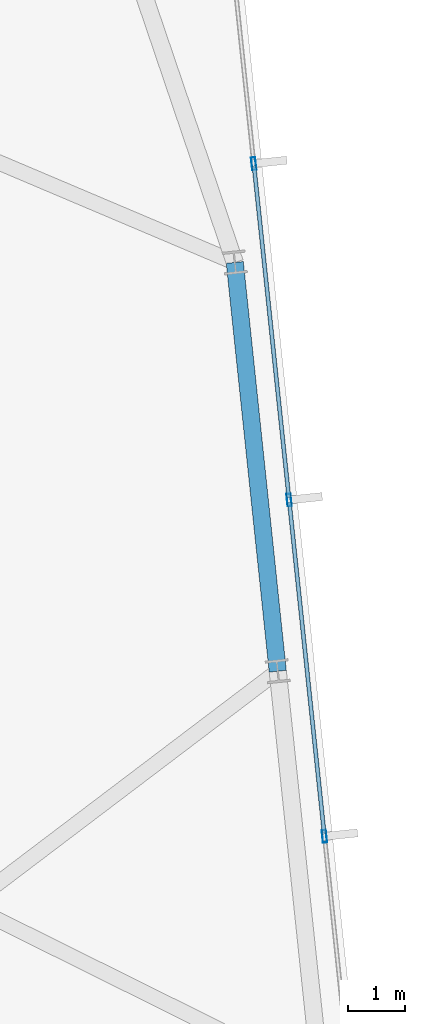
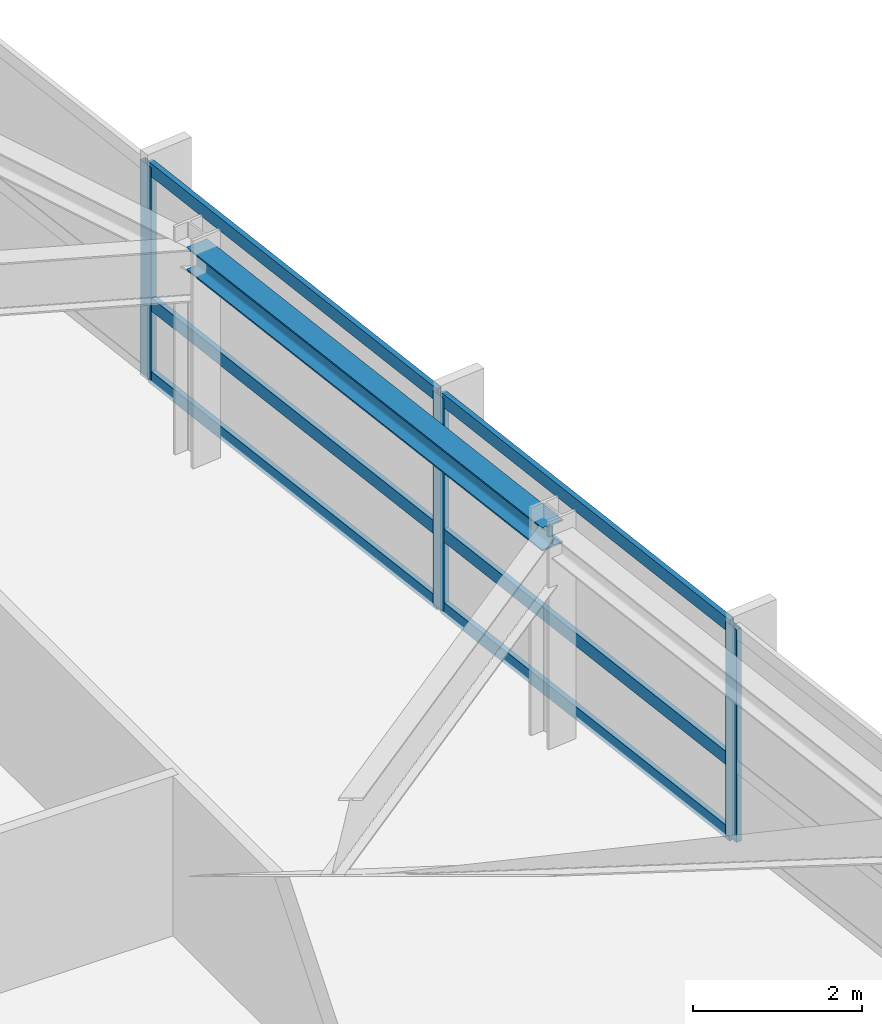
# One storey, part 14 of 26: 9 members, 1 beam, 1 element without a shape of its own.
"""IFC4 building model written with IfcOpenShell, lengths in metres."""

from ifc_helpers import new_model, si_unit, direction, frame, origin, origin_2d, place, context, subcontext, project, spatial, hollow_rectangle, i_section, extrude, material, material_profile, profile_set, type_object, element, aggregate, save


model = new_model("IFC4")

# Units and contexts
model_context = context("Model", 3, precision=1e-05, world=origin(), true_north=direction((0.0, 1.0)))
body_context = subcontext(model_context, "Body", "Model", "MODEL_VIEW")
ifc_project = project(units=[si_unit("LENGTHUNIT", "METRE"), si_unit("AREAUNIT", "SQUARE_METRE"), si_unit("VOLUMEUNIT", "CUBIC_METRE"), si_unit("PLANEANGLEUNIT", "RADIAN"), si_unit("MASSUNIT", "GRAM", prefix="KILO")], contexts=[model_context])

# Site, building, storey
site_placement = place(None, origin())
site = spatial("IfcSite", under=ifc_project, at=site_placement, CompositionType="ELEMENT")
building_placement = place(site_placement, origin())
building = spatial("IfcBuilding", under=site, at=building_placement, Name="Yelkora Congress Tower", CompositionType="ELEMENT")
storey_placement = place(building_placement, frame((0.0, 0.0, 204.5)))
storey = spatial("IfcBuildingStorey", under=building, at=storey_placement, Name="L56", CompositionType="ELEMENT", Elevation=204.5)

# Beam
ifc_material_1 = material(Name="Steel S355J2", Category="steel")
ifc_material_profile_1 = material_profile(ifc_material_1, i_section(OverallWidth=0.300048828125, OverallDepth=0.340087890625, WebThickness=0.011962890625, FlangeThickness=0.021484375, FilletRadius=0.027099609375, at=origin_2d()), Name="HEB 340")
ifc_profile_set_1 = profile_set([ifc_material_profile_1], Name="Steel S355J2")
beam_type = type_object("IfcBeamType", Name="BM-SPAN-HEB340", PredefinedType="SPANDREL", material=ifc_profile_set_1)
beam_placement = place(storey_placement, frame((69.60400390625, 34.296142578125, 2.909912109375), z_axis=(-0.104528914631, 0.994521847928, 0.0), x_axis=(-0.994521847928, -0.104528914631, 0.0)))
element("IfcBeam", 1, at=beam_placement, inside=storey, type_object=beam_type, Name="L56 Perimeter Beam 11", PredefinedType="SPANDREL", context=body_context, shape_type="SweptSolid", body=[
    extrude(i_section(OverallWidth=0.300048828125, OverallDepth=0.340087890625, WebThickness=0.011962890625, FlangeThickness=0.021484375, FilletRadius=0.027099609375, at=origin_2d()), origin(), (0.0, 0.0, 1.0), 7.175048828125),
])

# Curtain wall, members
ifc_material_2 = material(Name="Anodised aluminium and insulated glass", Category="aluminium")
curtain_wall_type = type_object("IfcCurtainWallType", Name="CW-SYS-SKY", PredefinedType="NOTDEFINED", material=ifc_material_2)
curtain_wall_placement = place(storey_placement, origin())
curtain_wall = element("IfcCurtainWall", 2, at=curtain_wall_placement, inside=storey, type_object=curtain_wall_type, Name="L56 Unitised Curtain Wall 15", PredefinedType="NOTDEFINED")
ifc_material_3 = material(Name="Anodised aluminium 6063-T6", Category="aluminium")
ifc_material_profile_2 = material_profile(ifc_material_3, hollow_rectangle(XDim=0.074951171875, YDim=0.219970703125, WallThickness=0.0048828125, at=origin_2d()), Name="ALU 75x220x5")
ifc_profile_set_2 = profile_set([ifc_material_profile_2], Name="Anodised aluminium 6063-T6")
member_type_1 = type_object("IfcMemberType", Name="MEM-ML-SKY", PredefinedType="MULLION", material=ifc_profile_set_2)
member_1_placement = place(storey_placement, frame((69.185546875, 43.156982421875, 0.0), z_axis=(0.0, 0.0, 1.0), x_axis=(0.994522182968, 0.104525726898, 0.0)))
member_1 = element("IfcMember", 3, at=member_1_placement, type_object=member_type_1, Name="CW-SKY mullion 2", PredefinedType="MULLION", context=body_context, shape_type="SweptSolid", body=[
    extrude(hollow_rectangle(XDim=0.074951171875, YDim=0.219970703125, WallThickness=0.0048828125, at=origin_2d()), origin(), (0.0, 0.0, 1.0), 3.080078125),
])
member_2_placement = place(storey_placement, frame((69.802734375, 37.285400390625, 0.0), z_axis=(0.0, 0.0, 1.0), x_axis=(0.994522182968, 0.104525726898, 0.0)))
member_2 = element("IfcMember", 4, at=member_2_placement, type_object=member_type_1, Name="CW-SKY mullion 3", PredefinedType="MULLION", context=body_context, shape_type="SweptSolid", body=[
    extrude(hollow_rectangle(XDim=0.074951171875, YDim=0.219970703125, WallThickness=0.0048828125, at=origin_2d()), origin(), (0.0, 0.0, 1.0), 3.080078125),
])
member_3_placement = place(storey_placement, frame((70.419677734375, 31.41357421875, 0.0), z_axis=(0.0, 0.0, 1.0), x_axis=(0.994522182968, 0.104525726898, 0.0)))
member_3 = element("IfcMember", 5, at=member_3_placement, type_object=member_type_1, Name="CW-SKY mullion 4", PredefinedType="MULLION", context=body_context, shape_type="SweptSolid", body=[
    extrude(hollow_rectangle(XDim=0.074951171875, YDim=0.219970703125, WallThickness=0.0048828125, at=origin_2d()), origin(), (0.0, 0.0, 1.0), 3.080078125),
])
ifc_material_profile_3 = material_profile(ifc_material_3, hollow_rectangle(XDim=0.070068359375, YDim=0.18994140625, WallThickness=0.00390625, at=origin_2d()), Name="ALU 70x190x4")
ifc_profile_set_3 = profile_set([ifc_material_profile_3], Name="Anodised aluminium 6063-T6")
member_type_2 = type_object("IfcMemberType", Name="MEM-TR-SKY", PredefinedType="USERDEFINED", material=ifc_profile_set_3)
member_4_placement = place(storey_placement, frame((69.189453125, 43.11962890625, 0.034912109375), z_axis=(0.104540888232, -0.994520589373, 0.0), x_axis=(0.994520589373, 0.104540888232, 0.0)))
member_4 = element("IfcMember", 6, at=member_4_placement, type_object=member_type_2, Name="CW-SKY transom 2.1", ObjectType="TRANSOM", PredefinedType="USERDEFINED", context=body_context, shape_type="SweptSolid", body=[
    extrude(hollow_rectangle(XDim=0.070068359375, YDim=0.18994140625, WallThickness=0.00390625, at=origin_2d()), origin(), (0.0, 0.0, 1.0), 5.8291015625),
])
member_5_placement = place(storey_placement, frame((69.189453125, 43.11962890625, 1.10009765625), z_axis=(0.104540888232, -0.994520589373, 0.0), x_axis=(0.994520589373, 0.104540888232, 0.0)))
member_5 = element("IfcMember", 7, at=member_5_placement, type_object=member_type_2, Name="CW-SKY transom 2.2", ObjectType="TRANSOM", PredefinedType="USERDEFINED", context=body_context, shape_type="SweptSolid", body=[
    extrude(hollow_rectangle(XDim=0.070068359375, YDim=0.18994140625, WallThickness=0.00390625, at=origin_2d()), origin(), (0.0, 0.0, 1.0), 5.8291015625),
])
member_6_placement = place(storey_placement, frame((69.189453125, 43.11962890625, 3.044921875), z_axis=(0.104540888232, -0.994520589373, 0.0), x_axis=(0.994520589373, 0.104540888232, 0.0)))
member_6 = element("IfcMember", 8, at=member_6_placement, type_object=member_type_2, Name="CW-SKY transom 2.3", ObjectType="TRANSOM", PredefinedType="USERDEFINED", context=body_context, shape_type="SweptSolid", body=[
    extrude(hollow_rectangle(XDim=0.070068359375, YDim=0.18994140625, WallThickness=0.00390625, at=origin_2d()), origin(), (0.0, 0.0, 1.0), 5.8291015625),
])
member_7_placement = place(storey_placement, frame((69.806640625, 37.248046875, 0.034912109375), z_axis=(0.104499462326, -0.994524943063, 0.0), x_axis=(0.994524943063, 0.104499462326, 0.0)))
member_7 = element("IfcMember", 9, at=member_7_placement, type_object=member_type_2, Name="CW-SKY transom 3.1", ObjectType="TRANSOM", PredefinedType="USERDEFINED", context=body_context, shape_type="SweptSolid", body=[
    extrude(hollow_rectangle(XDim=0.070068359375, YDim=0.18994140625, WallThickness=0.00390625, at=origin_2d()), origin(), (0.0, 0.0, 1.0), 5.8291015625),
])
member_8_placement = place(storey_placement, frame((69.806640625, 37.248046875, 1.10009765625), z_axis=(0.104499462326, -0.994524943063, 0.0), x_axis=(0.994524943063, 0.104499462326, 0.0)))
member_8 = element("IfcMember", 10, at=member_8_placement, type_object=member_type_2, Name="CW-SKY transom 3.2", ObjectType="TRANSOM", PredefinedType="USERDEFINED", context=body_context, shape_type="SweptSolid", body=[
    extrude(hollow_rectangle(XDim=0.070068359375, YDim=0.18994140625, WallThickness=0.00390625, at=origin_2d()), origin(), (0.0, 0.0, 1.0), 5.8291015625),
])
member_9_placement = place(storey_placement, frame((69.806640625, 37.248046875, 3.044921875), z_axis=(0.104499462326, -0.994524943063, 0.0), x_axis=(0.994524943063, 0.104499462326, 0.0)))
member_9 = element("IfcMember", 11, at=member_9_placement, type_object=member_type_2, Name="CW-SKY transom 3.3", ObjectType="TRANSOM", PredefinedType="USERDEFINED", context=body_context, shape_type="SweptSolid", body=[
    extrude(hollow_rectangle(XDim=0.070068359375, YDim=0.18994140625, WallThickness=0.00390625, at=origin_2d()), origin(), (0.0, 0.0, 1.0), 5.8291015625),
])
aggregate(curtain_wall, [member_1, member_2, member_3, member_4, member_5, member_6, member_7, member_8, member_9])

save(model, "model.ifc")
